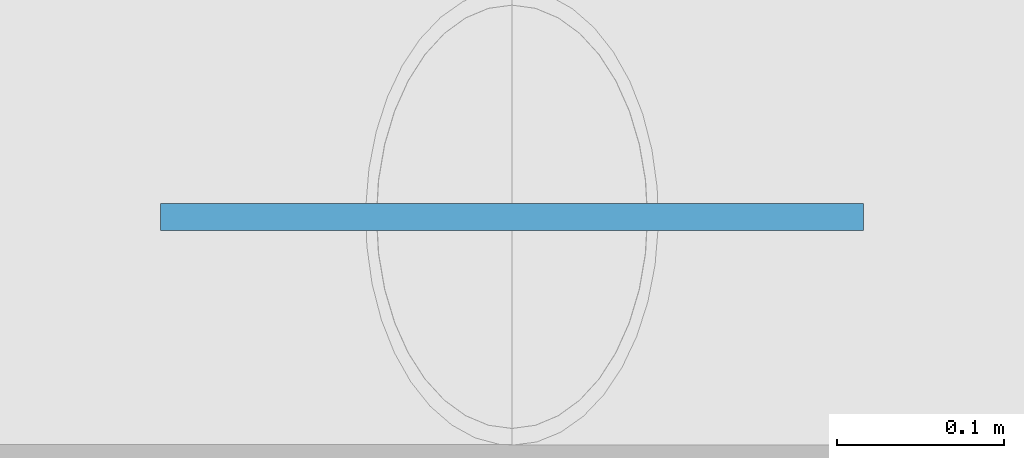
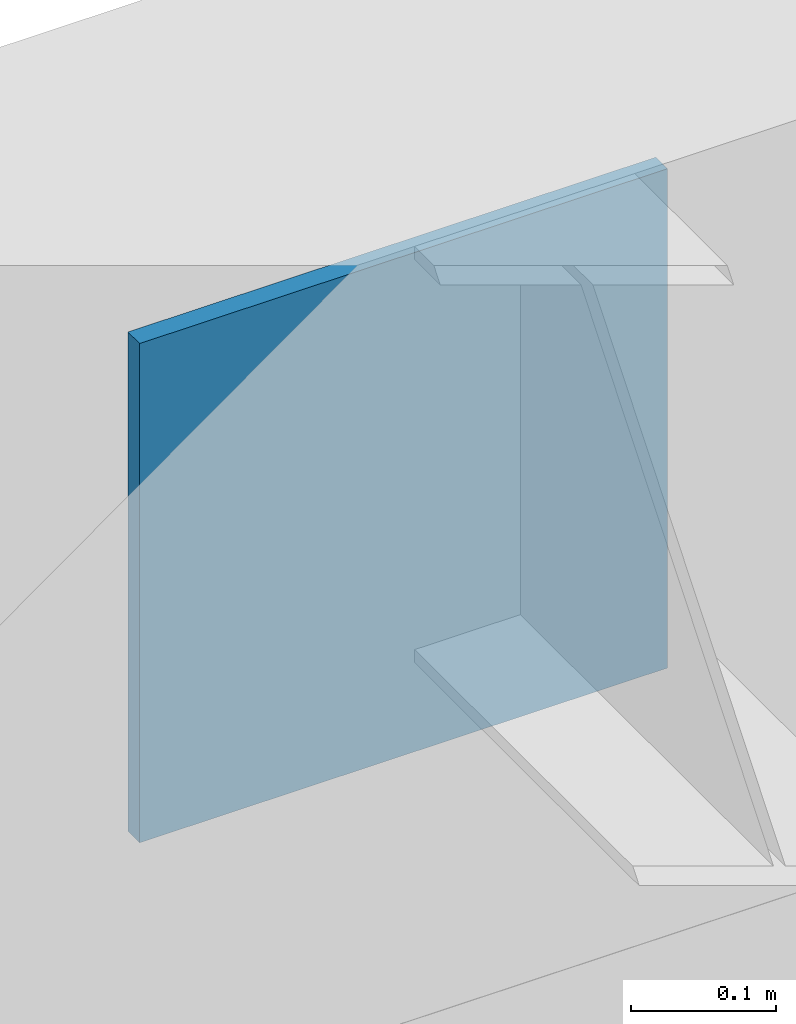
# One storey, part 12 of 27: 1 plate.
"""IFC4 building model written with IfcOpenShell, lengths in metres."""

from ifc_helpers import new_model, si_unit, direction, frame, origin, origin_2d, place, context, subcontext, project, spatial, rectangle, extrude, material, layer, layer_set, type_object, element, save


model = new_model("IFC4")

# Units and contexts
model_context = context("Model", 3, precision=1e-05, world=origin(), true_north=direction((0.0, 1.0)))
body_context = subcontext(model_context, "Body", "Model", "MODEL_VIEW")
ifc_project = project(units=[si_unit("LENGTHUNIT", "METRE"), si_unit("AREAUNIT", "SQUARE_METRE"), si_unit("VOLUMEUNIT", "CUBIC_METRE"), si_unit("PLANEANGLEUNIT", "RADIAN"), si_unit("MASSUNIT", "GRAM", prefix="KILO")], contexts=[model_context])

# Site, building, storey
site_placement = place(None, origin())
site = spatial("IfcSite", under=ifc_project, at=site_placement, CompositionType="ELEMENT")
building_placement = place(site_placement, origin())
building = spatial("IfcBuilding", under=site, at=building_placement, Name="Chengyuan Square Courthouse", CompositionType="ELEMENT")
storey_placement = place(building_placement, frame((0.0, 0.0, 35.10009765625)))
storey = spatial("IfcBuildingStorey", under=building, at=storey_placement, Name="L08", CompositionType="ELEMENT", Elevation=35.10009765625)

# Plate
ifc_material = material(Name="Steel Q355B", Category="steel")
ifc_layer = layer(ifc_material, 0.01611328125)
ifc_layer_set = layer_set([ifc_layer], Name="Steel Q355B")
plate_type = type_object("IfcPlateType", Name="GP-01", PredefinedType="SHEET", material=ifc_layer_set)
plate_placement = place(storey_placement, frame((63.0, 115.199951171875, 3.389892578125), z_axis=(0.0, 0.0, 1.0), x_axis=(1.0, 0.0, 0.0)))
element("IfcPlate", 1, at=plate_placement, inside=storey, type_object=plate_type, Name="Brace Gusset Plate GP-L08-07", PredefinedType="SHEET", context=body_context, shape_type="SweptSolid", body=[
    extrude(rectangle(XDim=0.419921875, YDim=0.01611328125, at=origin_2d()), origin(), (0.0, 0.0, 1.0), 0.419921875),
])

save(model, "model.ifc")
